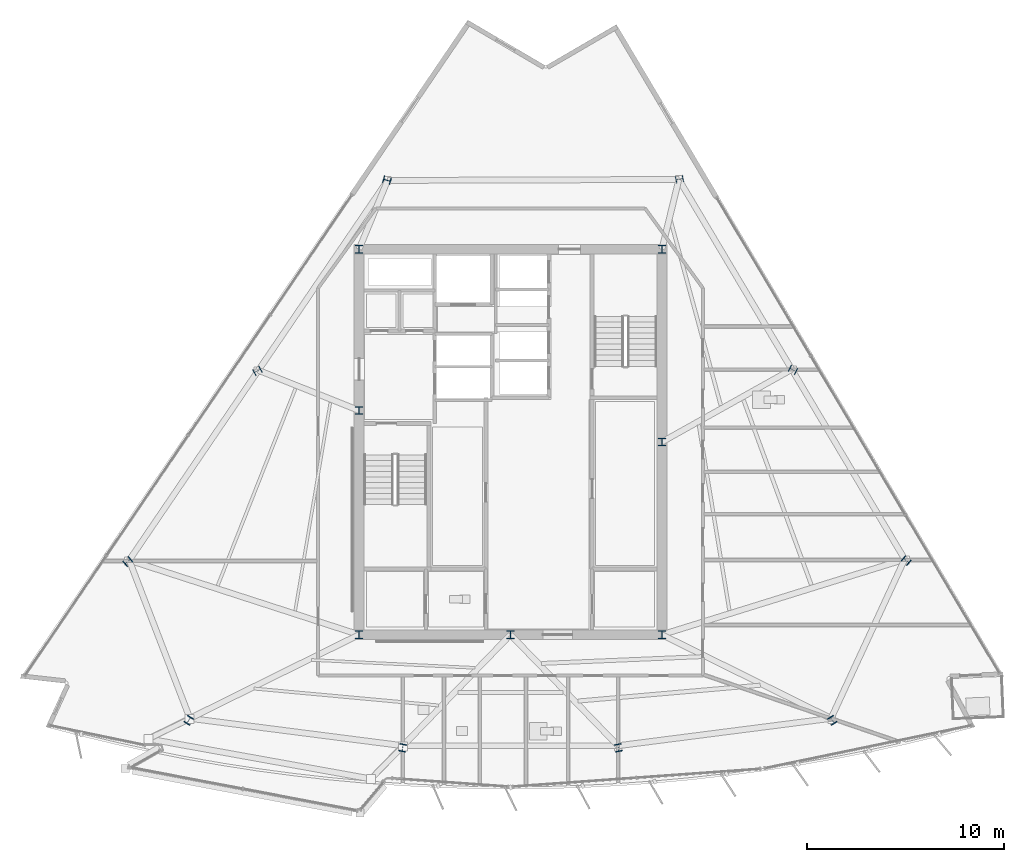
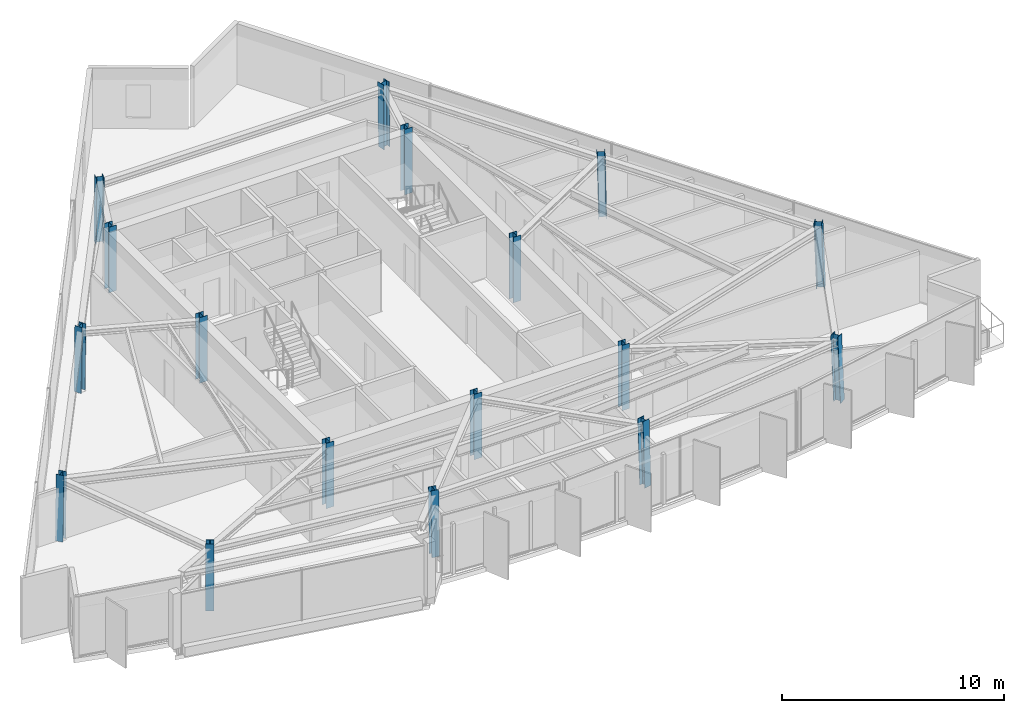
# One storey, part 1 of 14: 17 columns.
"""IFC4 building model written with IfcOpenShell, lengths in metres."""

from ifc_helpers import new_model, si_unit, direction, frame, origin, origin_2d, place, context, subcontext, project, spatial, i_section, extrude, material, material_profile, profile_set, type_object, element, save


model = new_model("IFC4")

# Units and contexts
model_context = context("Model", 3, precision=1e-05, world=origin(), true_north=direction((0.0, 1.0)))
body_context = subcontext(model_context, "Body", "Model", "MODEL_VIEW")
ifc_project = project(units=[si_unit("LENGTHUNIT", "METRE"), si_unit("AREAUNIT", "SQUARE_METRE"), si_unit("VOLUMEUNIT", "CUBIC_METRE"), si_unit("PLANEANGLEUNIT", "RADIAN"), si_unit("MASSUNIT", "GRAM", prefix="KILO")], contexts=[model_context])

# Site, building, storey
site_placement = place(None, origin())
site = spatial("IfcSite", under=ifc_project, at=site_placement, CompositionType="ELEMENT")
building_placement = place(site_placement, origin())
building = spatial("IfcBuilding", under=site, at=building_placement, Name="Savorim Split Tower", CompositionType="ELEMENT")
storey_placement = place(building_placement, frame((0.0, 0.0, 227.10009765625)))
storey = spatial("IfcBuildingStorey", under=building, at=storey_placement, Name="L60", CompositionType="ELEMENT", Elevation=227.10009765625)

# Columns
ifc_material = material(Name="Steel S355", Category="steel")
ifc_material_profile_1 = material_profile(ifc_material, i_section(OverallWidth=0.3740234375, OverallDepth=0.3720703125, WebThickness=0.01220703125, FlangeThickness=0.02001953125, FilletRadius=0.014892578125, at=origin_2d()), Name="HD 360x196")
ifc_profile_set_1 = profile_set([ifc_material_profile_1], Name="Steel S355")
column_type_1 = type_object("IfcColumnType", Name="COL-HD-196", PredefinedType="COLUMN", material=ifc_profile_set_1)
column_1_placement = place(storey_placement, frame((-16.373779296875, -13.774169921875, 0.00537109375), z_axis=(0.020594893987, 0.033509183946, 0.999226193078), x_axis=(-0.851954850327, 0.523615252838, 0.0)))
element("IfcColumn", 1, at=column_1_placement, inside=storey, type_object=column_type_1, Name="L60 Tapered Perimeter Column PC-S1", PredefinedType="COLUMN", context=body_context, shape_type="SweptSolid", body=[
    extrude(i_section(OverallWidth=0.3740234375, OverallDepth=0.3720703125, WebThickness=0.01220703125, FlangeThickness=0.02001953125, FilletRadius=0.014892578125, at=origin_2d()), origin(), (0.0, 0.0, 1.0), 3.591796875),
])
for number, where, z_axis, x_axis, name in (
    (2, (-5.48779296875, -15.171875, 0.00537109375), (0.00693381708, 0.03528089279, 0.999353381334), (-0.981229659911, 0.192842823335, 0.0), "L60 Tapered Perimeter Column PC-S2"),
    (3, (5.48779296875, -15.171875, 0.00537109375), (-0.00693381708, 0.03528089279, 0.999353381334), (-0.981229659911, -0.192842823335, 0.0), "L60 Tapered Perimeter Column PC-S3"),
):
    element("IfcColumn", number, at=place(storey_placement, frame(where, z_axis=z_axis, x_axis=x_axis)), inside=storey, type_object=column_type_1, Name=name, PredefinedType="COLUMN", context=body_context, shape_type="SweptSolid", body=[
        extrude(i_section(OverallWidth=0.3740234375, OverallDepth=0.3720703125, WebThickness=0.01220703125, FlangeThickness=0.02001953125, FilletRadius=0.014892578125, at=origin_2d()), origin(), (0.0, 0.0, 1.0), 3.591552734375),
    ])
column_2_placement = place(storey_placement, frame((16.373779296875, -13.774169921875, 0.00537109375), z_axis=(-0.020594893987, 0.033509183946, 0.999226193078), x_axis=(-0.851954850327, -0.523615252838, 0.0)))
element("IfcColumn", 4, at=column_2_placement, inside=storey, type_object=column_type_1, Name="L60 Tapered Perimeter Column PC-S4", PredefinedType="COLUMN", context=body_context, shape_type="SweptSolid", body=[
    extrude(i_section(OverallWidth=0.3740234375, OverallDepth=0.3720703125, WebThickness=0.01220703125, FlangeThickness=0.02001953125, FilletRadius=0.014892578125, at=origin_2d()), origin(), (0.0, 0.0, 1.0), 3.591796875),
])
column_3_placement = place(storey_placement, frame((20.1376953125, -5.641357421875, 0.00537109375), z_axis=(-0.026105663043, 0.021618752208, 0.999425396871), x_axis=(-0.637813971185, -0.770190455771, 0.0)))
element("IfcColumn", 5, at=column_3_placement, inside=storey, type_object=column_type_1, Name="L60 Tapered Perimeter Column PC-E1", PredefinedType="COLUMN", context=body_context, shape_type="SweptSolid", body=[
    extrude(i_section(OverallWidth=0.3740234375, OverallDepth=0.3720703125, WebThickness=0.01220703125, FlangeThickness=0.02001953125, FilletRadius=0.014892578125, at=origin_2d()), origin(), (0.0, 0.0, 1.0), 3.591064453125),
])
column_4_placement = place(storey_placement, frame((14.37060546875, 4.057373046875, 0.00537109375), z_axis=(-0.018906041, 0.009521027842, 0.999775930718), x_axis=(-0.449781931574, -0.893138406984, 0.0)))
element("IfcColumn", 6, at=column_4_placement, inside=storey, type_object=column_type_1, Name="L60 Tapered Perimeter Column PC-E2", PredefinedType="COLUMN", context=body_context, shape_type="SweptSolid", body=[
    extrude(i_section(OverallWidth=0.3740234375, OverallDepth=0.3720703125, WebThickness=0.01220703125, FlangeThickness=0.02001953125, FilletRadius=0.014892578125, at=origin_2d()), origin(), (0.0, 0.0, 1.0), 3.58984375),
])
for number, where, z_axis, x_axis, name in (
    (7, (8.603515625, 13.755859375, 0.00537109375), (-0.011767054935, -0.002516653368, 0.999927598816), (0.209143047003, -0.977885057607, 0.0), "L60 Tapered Perimeter Column PC-E3"),
    (8, (-6.28076171875, 13.70703125, 0.00537109375), (0.008774547672, -0.002516730728, 0.999958335822), (0.275705143097, 0.961242255662, 0.0), "L60 Tapered Perimeter Column PC-W1"),
):
    element("IfcColumn", number, at=place(storey_placement, frame(where, z_axis=z_axis, x_axis=x_axis)), inside=storey, type_object=column_type_1, Name=name, PredefinedType="COLUMN", context=body_context, shape_type="SweptSolid", body=[
        extrude(i_section(OverallWidth=0.3740234375, OverallDepth=0.3720703125, WebThickness=0.01220703125, FlangeThickness=0.02001953125, FilletRadius=0.014892578125, at=origin_2d()), origin(), (0.0, 0.0, 1.0), 3.58935546875),
    ])
column_5_placement = place(storey_placement, frame((-12.878662109375, 4.008544921875, 0.00537109375), z_axis=(0.017070406608, 0.009521342331, 0.99980895438), x_axis=(-0.487119351792, 0.873335409284, 0.0)))
element("IfcColumn", 9, at=column_5_placement, inside=storey, type_object=column_type_1, Name="L60 Tapered Perimeter Column PC-W2", PredefinedType="COLUMN", context=body_context, shape_type="SweptSolid", body=[
    extrude(i_section(OverallWidth=0.3740234375, OverallDepth=0.3720703125, WebThickness=0.01220703125, FlangeThickness=0.02001953125, FilletRadius=0.014892578125, at=origin_2d()), origin(), (0.0, 0.0, 1.0), 3.58984375),
])
column_6_placement = place(storey_placement, frame((-19.476318359375, -5.690185546875, 0.00537109375), z_axis=(0.025222449659, 0.021619242565, 0.999448065876), x_axis=(-0.650791373456, 0.759256602365, 0.0)))
element("IfcColumn", 10, at=column_6_placement, inside=storey, type_object=column_type_1, Name="L60 Tapered Perimeter Column PC-W3", PredefinedType="COLUMN", context=body_context, shape_type="SweptSolid", body=[
    extrude(i_section(OverallWidth=0.3740234375, OverallDepth=0.3720703125, WebThickness=0.01220703125, FlangeThickness=0.02001953125, FilletRadius=0.014892578125, at=origin_2d()), origin(), (0.0, 0.0, 1.0), 3.591064453125),
])
ifc_material_profile_2 = material_profile(ifc_material, i_section(OverallWidth=0.39794921875, OverallDepth=0.386962890625, WebThickness=0.013427734375, FlangeThickness=0.02197265625, FilletRadius=0.014892578125, at=origin_2d()), Name="HD 400x262")
ifc_profile_set_2 = profile_set([ifc_material_profile_2], Name="Steel S355")
column_type_2 = type_object("IfcColumnType", Name="COL-HD-262", PredefinedType="COLUMN", material=ifc_profile_set_2)
for number, where, z_axis, x_axis, name in (
    (11, (-7.699951171875, -9.39990234375, 0.0), (0.0, 0.0, 1.0), (1.0, 0.0, 0.0), "L60 Core Structural Column TC-C1"),
    (12, (7.699951171875, -9.39990234375, 0.0), (0.0, 0.0, 1.0), (1.0, 0.0, 0.0), "L60 Core Structural Column TC-C2"),
    (13, (7.699951171875, 10.199951171875, 0.0), (0.0, 0.0, 1.0), (1.0, 0.0, 0.0), "L60 Core Structural Column TC-C3"),
    (14, (-7.699951171875, 10.199951171875, 0.0), (0.0, 0.0, 1.0), (1.0, 0.0, 0.0), "L60 Core Structural Column TC-C4"),
    (15, (0.0, -9.39990234375, 0.0), (0.0, 0.0, 1.0), (1.0, 0.0, 0.0), "L60 Core Structural Column TC-C5"),
    (16, (7.699951171875, 0.39990234375, 0.0), (0.0, 0.0, 1.0), (1.0, 0.0, 0.0), "L60 Core Structural Column TC-C6"),
    (17, (-7.699951171875, 2.0, 0.0), (0.0, 0.0, 1.0), (1.0, 0.0, 0.0), "L60 Core Structural Column TC-C7"),
):
    element("IfcColumn", number, at=place(storey_placement, frame(where, z_axis=z_axis, x_axis=x_axis)), inside=storey, type_object=column_type_2, Name=name, PredefinedType="COLUMN", context=body_context, shape_type="SweptSolid", body=[
        extrude(i_section(OverallWidth=0.39794921875, OverallDepth=0.386962890625, WebThickness=0.013427734375, FlangeThickness=0.02197265625, FilletRadius=0.014892578125, at=origin_2d()), origin(), (0.0, 0.0, 1.0), 3.599853515625),
    ])

save(model, "model.ifc")
